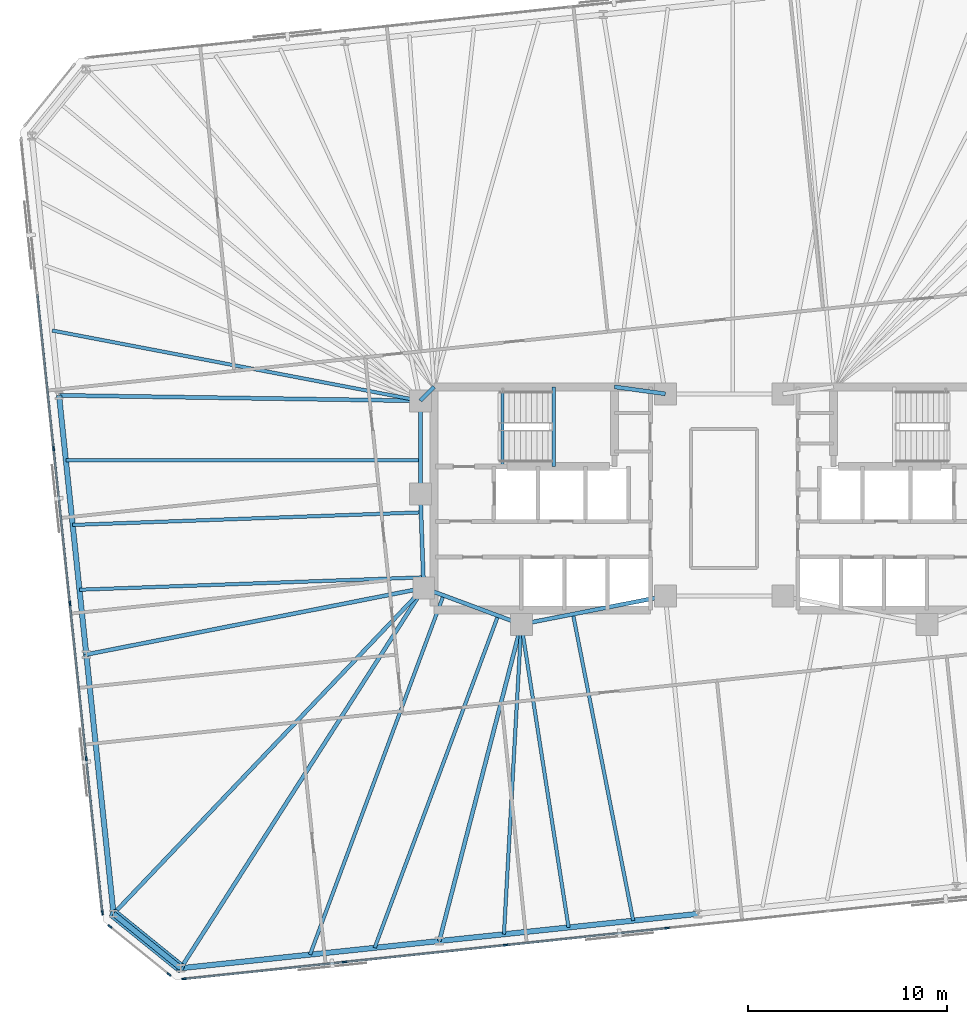
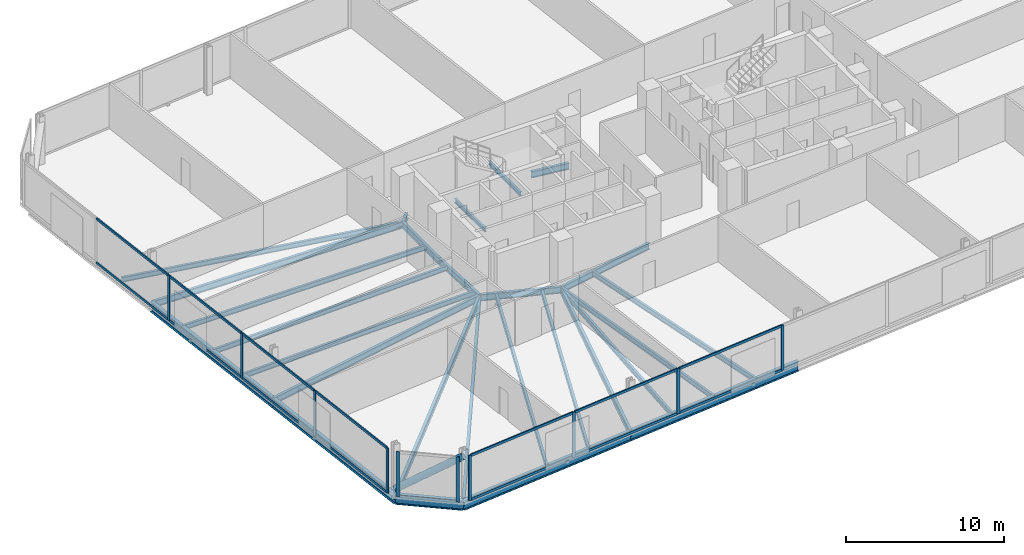
# One storey, part 6 of 18: 27 beams, 25 members, 3 elements without a shape of their own.
"""IFC4 building model written with IfcOpenShell, lengths in metres."""

from ifc_helpers import new_model, si_unit, direction, frame, origin, origin_2d, place, context, subcontext, project, spatial, rectangle, hollow_circle, i_section, extrude, material, material_profile, profile_set, type_object, element, aggregate, save


model = new_model("IFC4")

# Units and contexts
model_context = context("Model", 3, precision=1e-05, world=origin(), true_north=direction((0.0, 1.0)))
body_context = subcontext(model_context, "Body", "Model", "MODEL_VIEW")
ifc_project = project(units=[si_unit("LENGTHUNIT", "METRE"), si_unit("AREAUNIT", "SQUARE_METRE"), si_unit("VOLUMEUNIT", "CUBIC_METRE"), si_unit("PLANEANGLEUNIT", "RADIAN"), si_unit("MASSUNIT", "GRAM", prefix="KILO")], contexts=[model_context])

# Site, building, storey
site_placement = place(None, origin())
site = spatial("IfcSite", under=ifc_project, at=site_placement, CompositionType="ELEMENT")
building_placement = place(site_placement, origin())
building = spatial("IfcBuilding", under=site, at=building_placement, Name="Menara Jurai Vektor", CompositionType="ELEMENT")
storey_placement = place(building_placement, frame((0.0, 0.0, 98.5)))
storey = spatial("IfcBuildingStorey", under=building, at=storey_placement, Name="L24", CompositionType="ELEMENT", Elevation=98.5)

# Curtain wall, members
ifc_material_1 = material(Name="Anodised Pale Aluminium & Low-E Double Glazing", Category="aluminium")
curtain_wall_type = type_object("IfcCurtainWallType", Name="CW-BLK2", PredefinedType="NOTDEFINED", material=ifc_material_1)
curtain_wall_1_placement = place(storey_placement, origin())
curtain_wall_1 = element("IfcCurtainWall", 1, at=curtain_wall_1_placement, inside=storey, type_object=curtain_wall_type, Name="Unitised Curtain Wall L24 F01", PredefinedType="NOTDEFINED")
ifc_material_2 = material(Name="Anodised Pale Aluminium Mullion", Category="aluminium")
ifc_material_profile_1 = material_profile(ifc_material_2, rectangle(XDim=0.090087890625, YDim=0.219970703125, at=origin_2d()), Name="ALU MUL 90x220")
ifc_profile_set_1 = profile_set([ifc_material_profile_1], Name="Anodised Pale Aluminium Mullion")
member_type_1 = type_object("IfcMemberType", Name="CW-BLK2-MUL", PredefinedType="MULLION", material=ifc_profile_set_1)
member_1_placement = place(storey_placement, frame((-27.116455078125, -24.122314453125, 0.0), z_axis=(0.0, 0.0, 1.0), x_axis=(-0.104528634935, 0.994521877325, 0.0)))
member_1 = element("IfcMember", 2, at=member_1_placement, type_object=member_type_1, Name="CW-02 mullion 1", PredefinedType="MULLION", context=body_context, shape_type="SweptSolid", body=[
    extrude(rectangle(XDim=0.090087890625, YDim=0.219970703125, at=origin_2d()), origin(), (0.0, 0.0, 1.0), 3.47509765625),
])
member_2_placement = place(storey_placement, frame((-19.0634765625, -23.27587890625, 0.0), z_axis=(0.0, 0.0, 1.0), x_axis=(-0.104528634935, 0.994521877325, 0.0)))
member_2 = element("IfcMember", 3, at=member_2_placement, type_object=member_type_1, Name="CW-02 mullion 2", PredefinedType="MULLION", context=body_context, shape_type="SweptSolid", body=[
    extrude(rectangle(XDim=0.090087890625, YDim=0.219970703125, at=origin_2d()), origin(), (0.0, 0.0, 1.0), 3.47509765625),
])
member_3_placement = place(storey_placement, frame((-10.965576171875, -22.4248046875, 0.0), z_axis=(0.0, 0.0, 1.0), x_axis=(-0.104528634935, 0.994521877325, 0.0)))
member_3 = element("IfcMember", 4, at=member_3_placement, type_object=member_type_1, Name="CW-02 mullion 3", PredefinedType="MULLION", context=body_context, shape_type="SweptSolid", body=[
    extrude(rectangle(XDim=0.090087890625, YDim=0.219970703125, at=origin_2d()), origin(), (0.0, 0.0, 1.0), 3.47509765625),
])
member_4_placement = place(storey_placement, frame((-2.86767578125, -21.57373046875, 0.0), z_axis=(0.0, 0.0, 1.0), x_axis=(-0.104528634935, 0.994521877325, 0.0)))
member_4 = element("IfcMember", 5, at=member_4_placement, type_object=member_type_1, Name="CW-02 mullion 4", PredefinedType="MULLION", context=body_context, shape_type="SweptSolid", body=[
    extrude(rectangle(XDim=0.090087890625, YDim=0.219970703125, at=origin_2d()), origin(), (0.0, 0.0, 1.0), 3.47509765625),
])

curtain_wall_2_placement = place(storey_placement, origin())
curtain_wall_2 = element("IfcCurtainWall", 6, at=curtain_wall_2_placement, inside=storey, type_object=curtain_wall_type, Name="Unitised Curtain Wall L24 F07", PredefinedType="NOTDEFINED")
member_5_placement = place(storey_placement, frame((-33.66064453125, 2.50341796875, 0.0), z_axis=(0.0, 0.0, 1.0), x_axis=(0.99452177832, 0.104529576902, 0.0)))
member_5 = element("IfcMember", 7, at=member_5_placement, type_object=member_type_1, Name="CW-02 mullion 3", PredefinedType="MULLION", context=body_context, shape_type="SweptSolid", body=[
    extrude(rectangle(XDim=0.090087890625, YDim=0.219970703125, at=origin_2d()), origin(), (0.0, 0.0, 1.0), 3.47509765625),
])
member_6_placement = place(storey_placement, frame((-32.84228515625, -5.28173828125, 0.0), z_axis=(0.0, 0.0, 1.0), x_axis=(0.99452177832, 0.104529576902, 0.0)))
member_6 = element("IfcMember", 8, at=member_6_placement, type_object=member_type_1, Name="CW-02 mullion 4", PredefinedType="MULLION", context=body_context, shape_type="SweptSolid", body=[
    extrude(rectangle(XDim=0.090087890625, YDim=0.219970703125, at=origin_2d()), origin(), (0.0, 0.0, 1.0), 3.47509765625),
])
member_7_placement = place(storey_placement, frame((-32.024169921875, -13.06689453125, 0.0), z_axis=(0.0, 0.0, 1.0), x_axis=(0.99452177832, 0.104529576902, 0.0)))
member_7 = element("IfcMember", 9, at=member_7_placement, type_object=member_type_1, Name="CW-02 mullion 5", PredefinedType="MULLION", context=body_context, shape_type="SweptSolid", body=[
    extrude(rectangle(XDim=0.090087890625, YDim=0.219970703125, at=origin_2d()), origin(), (0.0, 0.0, 1.0), 3.47509765625),
])
member_8_placement = place(storey_placement, frame((-31.21044921875, -20.80712890625, 0.0), z_axis=(0.0, 0.0, 1.0), x_axis=(0.99452177832, 0.104529576902, 0.0)))
member_8 = element("IfcMember", 10, at=member_8_placement, type_object=member_type_1, Name="CW-02 mullion 6", PredefinedType="MULLION", context=body_context, shape_type="SweptSolid", body=[
    extrude(rectangle(XDim=0.090087890625, YDim=0.219970703125, at=origin_2d()), origin(), (0.0, 0.0, 1.0), 3.47509765625),
])

curtain_wall_3_placement = place(storey_placement, origin())
curtain_wall_3 = element("IfcCurtainWall", 11, at=curtain_wall_3_placement, inside=storey, type_object=curtain_wall_type, Name="Unitised Curtain Wall L24 F08", PredefinedType="NOTDEFINED")
member_9_placement = place(storey_placement, frame((-30.8359375, -21.497314453125, 0.0), z_axis=(0.0, 0.0, 1.0), x_axis=(0.629313085353, 0.777151877437, 0.0)))
member_9 = element("IfcMember", 12, at=member_9_placement, type_object=member_type_1, Name="CW-02 mullion 1", PredefinedType="MULLION", context=body_context, shape_type="SweptSolid", body=[
    extrude(rectangle(XDim=0.090087890625, YDim=0.219970703125, at=origin_2d()), origin(), (0.0, 0.0, 1.0), 3.47509765625),
])
member_10_placement = place(storey_placement, frame((-27.869384765625, -23.8994140625, 0.0), z_axis=(0.0, 0.0, 1.0), x_axis=(0.629313085353, 0.777151877437, 0.0)))
member_10 = element("IfcMember", 13, at=member_10_placement, type_object=member_type_1, Name="CW-02 mullion 2", PredefinedType="MULLION", context=body_context, shape_type="SweptSolid", body=[
    extrude(rectangle(XDim=0.090087890625, YDim=0.219970703125, at=origin_2d()), origin(), (0.0, 0.0, 1.0), 3.47509765625),
])
aggregate(curtain_wall_3, [member_9, member_10])

# Member
ifc_material_3 = material(Name="Anodised Pale Aluminium Transom", Category="aluminium")
ifc_material_profile_2 = material_profile(ifc_material_3, rectangle(XDim=0.090087890625, YDim=0.18505859375, at=origin_2d()), Name="ALU TRN 90x185")
ifc_profile_set_2 = profile_set([ifc_material_profile_2], Name="Anodised Pale Aluminium Transom")
member_type_2 = type_object("IfcMemberType", Name="CW-BLK2-TRN", PredefinedType="USERDEFINED", material=ifc_profile_set_2)
member_11_placement = place(storey_placement, frame((-27.07177734375, -24.11767578125, 0.044921875), z_axis=(0.994523147415, 0.10451655015, 0.0), x_axis=(-0.10451655015, 0.994523147415, 0.0)))
member_11 = element("IfcMember", 14, at=member_11_placement, type_object=member_type_2, Name="CW-02 transom 1.1", ObjectType="TRANSOM", PredefinedType="USERDEFINED", context=body_context, shape_type="SweptSolid", body=[
    extrude(rectangle(XDim=0.090087890625, YDim=0.18505859375, at=origin_2d()), origin(), (0.0, 0.0, 1.0), 8.007568359375),
])

member_12_placement = place(storey_placement, frame((-27.07177734375, -24.11767578125, 3.429931640625), z_axis=(0.994523147415, 0.10451655015, 0.0), x_axis=(-0.10451655015, 0.994523147415, 0.0)))
member_12 = element("IfcMember", 15, at=member_12_placement, type_object=member_type_2, Name="CW-02 transom 1.2", ObjectType="TRANSOM", PredefinedType="USERDEFINED", context=body_context, shape_type="SweptSolid", body=[
    extrude(rectangle(XDim=0.090087890625, YDim=0.18505859375, at=origin_2d()), origin(), (0.0, 0.0, 1.0), 8.007568359375),
])

member_13_placement = place(storey_placement, frame((-19.0185546875, -23.271240234375, 0.044921875), z_axis=(0.994520726373, 0.10453958492, 0.0), x_axis=(-0.10453958492, 0.994520726373, 0.0)))
member_13 = element("IfcMember", 16, at=member_13_placement, type_object=member_type_2, Name="CW-02 transom 2.1", ObjectType="TRANSOM", PredefinedType="USERDEFINED", context=body_context, shape_type="SweptSolid", body=[
    extrude(rectangle(XDim=0.090087890625, YDim=0.18505859375, at=origin_2d()), origin(), (0.0, 0.0, 1.0), 8.052490234375),
])

member_14_placement = place(storey_placement, frame((-19.0185546875, -23.271240234375, 3.429931640625), z_axis=(0.994520726373, 0.10453958492, 0.0), x_axis=(-0.10453958492, 0.994520726373, 0.0)))
member_14 = element("IfcMember", 17, at=member_14_placement, type_object=member_type_2, Name="CW-02 transom 2.2", ObjectType="TRANSOM", PredefinedType="USERDEFINED", context=body_context, shape_type="SweptSolid", body=[
    extrude(rectangle(XDim=0.090087890625, YDim=0.18505859375, at=origin_2d()), origin(), (0.0, 0.0, 1.0), 8.052490234375),
])

member_15_placement = place(storey_placement, frame((-10.920654296875, -22.420166015625, 0.044921875), z_axis=(0.994520726373, 0.10453958492, 0.0), x_axis=(-0.10453958492, 0.994520726373, 0.0)))
member_15 = element("IfcMember", 18, at=member_15_placement, type_object=member_type_2, Name="CW-02 transom 3.1", ObjectType="TRANSOM", PredefinedType="USERDEFINED", context=body_context, shape_type="SweptSolid", body=[
    extrude(rectangle(XDim=0.090087890625, YDim=0.18505859375, at=origin_2d()), origin(), (0.0, 0.0, 1.0), 8.052490234375),
])

member_16_placement = place(storey_placement, frame((-10.920654296875, -22.420166015625, 3.429931640625), z_axis=(0.994520726373, 0.10453958492, 0.0), x_axis=(-0.10453958492, 0.994520726373, 0.0)))
member_16 = element("IfcMember", 19, at=member_16_placement, type_object=member_type_2, Name="CW-02 transom 3.2", ObjectType="TRANSOM", PredefinedType="USERDEFINED", context=body_context, shape_type="SweptSolid", body=[
    extrude(rectangle(XDim=0.090087890625, YDim=0.18505859375, at=origin_2d()), origin(), (0.0, 0.0, 1.0), 8.052490234375),
])

aggregate(curtain_wall_1, [member_1, member_2, member_3, member_4, member_11, member_12, member_13, member_14, member_15, member_16])

member_17_placement = place(storey_placement, frame((-34.47412109375, 10.243896484375, 0.044921875), z_axis=(0.104525476786, -0.994522209256, 0.0), x_axis=(0.994522209256, 0.104525476786, 0.0)))
member_17 = element("IfcMember", 20, at=member_17_placement, type_object=member_type_2, Name="CW-02 transom 2.1", ObjectType="TRANSOM", PredefinedType="USERDEFINED", context=body_context, shape_type="SweptSolid", body=[
    extrude(rectangle(XDim=0.090087890625, YDim=0.18505859375, at=origin_2d()), origin(), (0.0, 0.0, 1.0), 7.73828125),
])

member_18_placement = place(storey_placement, frame((-34.47412109375, 10.243896484375, 3.429931640625), z_axis=(0.104525476786, -0.994522209256, 0.0), x_axis=(0.994522209256, 0.104525476786, 0.0)))
member_18 = element("IfcMember", 21, at=member_18_placement, type_object=member_type_2, Name="CW-02 transom 2.2", ObjectType="TRANSOM", PredefinedType="USERDEFINED", context=body_context, shape_type="SweptSolid", body=[
    extrude(rectangle(XDim=0.090087890625, YDim=0.18505859375, at=origin_2d()), origin(), (0.0, 0.0, 1.0), 7.73828125),
])

member_19_placement = place(storey_placement, frame((-33.65576171875, 2.458740234375, 0.044921875), z_axis=(0.104525476786, -0.994522209256, 0.0), x_axis=(0.994522209256, 0.104525476786, 0.0)))
member_19 = element("IfcMember", 22, at=member_19_placement, type_object=member_type_2, Name="CW-02 transom 3.1", ObjectType="TRANSOM", PredefinedType="USERDEFINED", context=body_context, shape_type="SweptSolid", body=[
    extrude(rectangle(XDim=0.090087890625, YDim=0.18505859375, at=origin_2d()), origin(), (0.0, 0.0, 1.0), 7.73828125),
])

member_20_placement = place(storey_placement, frame((-33.65576171875, 2.458740234375, 3.429931640625), z_axis=(0.104525476786, -0.994522209256, 0.0), x_axis=(0.994522209256, 0.104525476786, 0.0)))
member_20 = element("IfcMember", 23, at=member_20_placement, type_object=member_type_2, Name="CW-02 transom 3.2", ObjectType="TRANSOM", PredefinedType="USERDEFINED", context=body_context, shape_type="SweptSolid", body=[
    extrude(rectangle(XDim=0.090087890625, YDim=0.18505859375, at=origin_2d()), origin(), (0.0, 0.0, 1.0), 7.73828125),
])

member_21_placement = place(storey_placement, frame((-32.837646484375, -5.326416015625, 0.044921875), z_axis=(0.104525476786, -0.994522209256, 0.0), x_axis=(0.994522209256, 0.104525476786, 0.0)))
member_21 = element("IfcMember", 24, at=member_21_placement, type_object=member_type_2, Name="CW-02 transom 4.1", ObjectType="TRANSOM", PredefinedType="USERDEFINED", context=body_context, shape_type="SweptSolid", body=[
    extrude(rectangle(XDim=0.090087890625, YDim=0.18505859375, at=origin_2d()), origin(), (0.0, 0.0, 1.0), 7.73828125),
])

member_22_placement = place(storey_placement, frame((-32.837646484375, -5.326416015625, 3.429931640625), z_axis=(0.104525476786, -0.994522209256, 0.0), x_axis=(0.994522209256, 0.104525476786, 0.0)))
member_22 = element("IfcMember", 25, at=member_22_placement, type_object=member_type_2, Name="CW-02 transom 4.2", ObjectType="TRANSOM", PredefinedType="USERDEFINED", context=body_context, shape_type="SweptSolid", body=[
    extrude(rectangle(XDim=0.090087890625, YDim=0.18505859375, at=origin_2d()), origin(), (0.0, 0.0, 1.0), 7.73828125),
])

member_23_placement = place(storey_placement, frame((-32.019287109375, -13.111572265625, 0.044921875), z_axis=(0.104536105602, -0.994521092097, 0.0), x_axis=(0.994521092097, 0.104536105602, 0.0)))
member_23 = element("IfcMember", 26, at=member_23_placement, type_object=member_type_2, Name="CW-02 transom 5.1", ObjectType="TRANSOM", PredefinedType="USERDEFINED", context=body_context, shape_type="SweptSolid", body=[
    extrude(rectangle(XDim=0.090087890625, YDim=0.18505859375, at=origin_2d()), origin(), (0.0, 0.0, 1.0), 7.693115234375),
])

member_24_placement = place(storey_placement, frame((-32.019287109375, -13.111572265625, 3.429931640625), z_axis=(0.104536105602, -0.994521092097, 0.0), x_axis=(0.994521092097, 0.104536105602, 0.0)))
member_24 = element("IfcMember", 27, at=member_24_placement, type_object=member_type_2, Name="CW-02 transom 5.2", ObjectType="TRANSOM", PredefinedType="USERDEFINED", context=body_context, shape_type="SweptSolid", body=[
    extrude(rectangle(XDim=0.090087890625, YDim=0.18505859375, at=origin_2d()), origin(), (0.0, 0.0, 1.0), 7.693115234375),
])

aggregate(curtain_wall_2, [member_5, member_6, member_7, member_8, member_17, member_18, member_19, member_20, member_21, member_22, member_23, member_24])

# Beams
ifc_material_4 = material(Name="Steel S355", Category="steel")
ifc_material_profile_3 = material_profile(ifc_material_4, i_section(OverallWidth=0.199951171875, OverallDepth=0.5, WebThickness=0.011962890625, FlangeThickness=0.02001953125, at=origin_2d()), Name="PG 500x200x96")
ifc_profile_set_3 = profile_set([ifc_material_profile_3], Name="Steel S355")
beam_type_1 = type_object("IfcBeamType", Name="STR-BM-500", PredefinedType="BEAM", material=ifc_profile_set_3)
beam_1_placement = place(storey_placement, frame((-15.25, 4.89990234375, -0.47509765625), z_axis=(0.701871936926, 0.712303154672, 0.0), x_axis=(-0.712303154672, 0.701871936926, 0.0)))
element("IfcBeam", 28, at=beam_1_placement, inside=storey, type_object=beam_type_1, Name="Core Ring Header Girder L24-CHW-N1", PredefinedType="BEAM", context=body_context, shape_type="SweptSolid", body=[
    extrude(i_section(OverallWidth=0.199951171875, OverallDepth=0.5, WebThickness=0.011962890625, FlangeThickness=0.02001953125, at=origin_2d()), origin(), (0.0, 0.0, 1.0), 0.98291015625),
])
beam_2_placement = place(storey_placement, frame((-5.5, 5.60009765625, -0.47509765625), z_axis=(0.990706818608, -0.136014703483, 0.0), x_axis=(0.136014703483, 0.990706818608, 0.0)))
element("IfcBeam", 29, at=beam_2_placement, inside=storey, type_object=beam_type_1, Name="Core Ring Header Girder L24-CHW-N2", PredefinedType="BEAM", context=body_context, shape_type="SweptSolid", body=[
    extrude(i_section(OverallWidth=0.199951171875, OverallDepth=0.5, WebThickness=0.011962890625, FlangeThickness=0.02001953125, at=origin_2d()), origin(), (0.0, 0.0, 1.0), 2.573974609375),
])
beam_3_placement = place(storey_placement, frame((-15.25, 0.219970703125, -0.47509765625), z_axis=(0.0, 1.0, 0.0), x_axis=(-1.0, 0.0, 0.0)))
element("IfcBeam", 30, at=beam_3_placement, inside=storey, type_object=beam_type_1, Name="Core Ring Header Girder L24-CHW-W1", PredefinedType="BEAM", context=body_context, shape_type="SweptSolid", body=[
    extrude(i_section(OverallWidth=0.199951171875, OverallDepth=0.5, WebThickness=0.011962890625, FlangeThickness=0.02001953125, at=origin_2d()), origin(), (0.0, 0.0, 1.0), 4.679931640625),
])
beam_4_placement = place(storey_placement, frame((-15.080078125, -4.5, -0.47509765625), z_axis=(-0.035977314146, 0.999352606874, 0.0), x_axis=(-0.999352606874, -0.035977314146, 0.0)))
element("IfcBeam", 31, at=beam_4_placement, inside=storey, type_object=beam_type_1, Name="Core Ring Header Girder L24-CHW-W2", PredefinedType="BEAM", context=body_context, shape_type="SweptSolid", body=[
    extrude(i_section(OverallWidth=0.199951171875, OverallDepth=0.5, WebThickness=0.011962890625, FlangeThickness=0.02001953125, at=origin_2d()), origin(), (0.0, 0.0, 1.0), 4.72314453125),
])
beam_5_placement = place(storey_placement, frame((-15.080078125, -4.5, -0.47509765625), z_axis=(0.937424400887, -0.348188874925, 0.0), x_axis=(0.348188874925, 0.937424400887, 0.0)))
element("IfcBeam", 32, at=beam_5_placement, inside=storey, type_object=beam_type_1, Name="Core Ring Header Girder L24-CHW-S1", PredefinedType="BEAM", context=body_context, shape_type="SweptSolid", body=[
    extrude(i_section(OverallWidth=0.199951171875, OverallDepth=0.5, WebThickness=0.011962890625, FlangeThickness=0.02001953125, at=origin_2d()), origin(), (0.0, 0.0, 1.0), 5.227294921875),
])
beam_6_placement = place(storey_placement, frame((-10.179931640625, -6.320068359375, -0.47509765625), z_axis=(0.981249044334, 0.192744164614, 0.0), x_axis=(-0.192744164614, 0.981249044334, 0.0)))
element("IfcBeam", 33, at=beam_6_placement, inside=storey, type_object=beam_type_1, Name="Core Ring Header Girder L24-CHW-S2", PredefinedType="BEAM", context=body_context, shape_type="SweptSolid", body=[
    extrude(i_section(OverallWidth=0.199951171875, OverallDepth=0.5, WebThickness=0.011962890625, FlangeThickness=0.02001953125, at=origin_2d()), origin(), (0.0, 0.0, 1.0), 7.3681640625),
])
beam_7_placement = place(storey_placement, frame((-27.2763671875, -23.586181640625, -0.47509765625), z_axis=(0.538462629542, 0.842649391258, 0.0), x_axis=(-0.842649391258, 0.538462629542, 0.0)))
element("IfcBeam", 34, at=beam_7_placement, inside=storey, type_object=beam_type_1, Name="Radial Floor Girder L24-S1", PredefinedType="BEAM", context=body_context, shape_type="SweptSolid", body=[
    extrude(i_section(OverallWidth=0.199951171875, OverallDepth=0.5, WebThickness=0.011962890625, FlangeThickness=0.02001953125, at=origin_2d()), origin(), (0.0, 0.0, 1.0), 22.650146484375),
])
beam_8_placement = place(storey_placement, frame((-14.296630859375, -22.221923828125, -0.47509765625), z_axis=(0.250619644892, 0.968085633399, 0.0), x_axis=(-0.968085633399, 0.250619644892, 0.0)))
element("IfcBeam", 35, at=beam_8_placement, inside=storey, type_object=beam_type_1, Name="Radial Floor Girder L24-S2", PredefinedType="BEAM", context=body_context, shape_type="SweptSolid", body=[
    extrude(i_section(OverallWidth=0.199951171875, OverallDepth=0.5, WebThickness=0.011962890625, FlangeThickness=0.02001953125, at=origin_2d()), origin(), (0.0, 0.0, 1.0), 16.426025390625),
])
beam_9_placement = place(storey_placement, frame((-33.38818359375, 5.175048828125, -0.47509765625), z_axis=(0.999884963566, -0.015167716827, 0.0), x_axis=(0.015167716827, 0.999884963566, 0.0)))
element("IfcBeam", 36, at=beam_9_placement, inside=storey, type_object=beam_type_1, Name="Radial Floor Girder L24-W2", PredefinedType="BEAM", context=body_context, shape_type="SweptSolid", body=[
    extrude(i_section(OverallWidth=0.199951171875, OverallDepth=0.5, WebThickness=0.011962890625, FlangeThickness=0.02001953125, at=origin_2d()), origin(), (0.0, 0.0, 1.0), 18.140380859375),
])
beam_10_placement = place(storey_placement, frame((-32.0205078125, -7.83837890625, -0.47509765625), z_axis=(0.98113039493, 0.193347221714, 0.0), x_axis=(-0.193347221714, 0.98113039493, 0.0)))
element("IfcBeam", 37, at=beam_10_placement, inside=storey, type_object=beam_type_1, Name="Radial Floor Girder L24-W3", PredefinedType="BEAM", context=body_context, shape_type="SweptSolid", body=[
    extrude(i_section(OverallWidth=0.199951171875, OverallDepth=0.5, WebThickness=0.011962890625, FlangeThickness=0.02001953125, at=origin_2d()), origin(), (0.0, 0.0, 1.0), 17.266357421875),
])
beam_11_placement = place(storey_placement, frame((-30.65283203125, -20.85205078125, -0.47509765625), z_axis=(0.689640593718, 0.724151815227, 0.0), x_axis=(-0.724151815227, 0.689640593718, 0.0)))
element("IfcBeam", 38, at=beam_11_placement, inside=storey, type_object=beam_type_1, Name="Radial Floor Girder L24-W4", PredefinedType="BEAM", context=body_context, shape_type="SweptSolid", body=[
    extrude(i_section(OverallWidth=0.199951171875, OverallDepth=0.5, WebThickness=0.011962890625, FlangeThickness=0.02001953125, at=origin_2d()), origin(), (0.0, 0.0, 1.0), 22.5810546875),
])

# Member
ifc_material_5 = material(Name="Steel S460", Category="steel")
ifc_material_profile_4 = material_profile(ifc_material_5, hollow_circle(Radius=0.25390625, WallThickness=0.02001953125, at=origin_2d()), Name="CHS 508x20")
ifc_profile_set_4 = profile_set([ifc_material_profile_4], Name="Steel S460")
member_type_3 = type_object("IfcMemberType", Name="STR-BR-508", PredefinedType="BRACE", material=ifc_profile_set_4)
member_25_placement = place(storey_placement, frame((-30.65283203125, -20.85205078125, 0.14990234375), z_axis=(0.641223283484, -0.519237856236, 0.564999778203), x_axis=(0.629309762217, 0.777154568396, 0.0)))
element("IfcMember", 39, at=member_25_placement, inside=storey, type_object=member_type_3, Name="Exoskeleton Corner Brace L24-4", PredefinedType="BRACE", context=body_context, shape_type="SweptSolid", body=[
    extrude(hollow_circle(Radius=0.25390625, WallThickness=0.02001953125, at=origin_2d()), origin(), (0.0, 0.0, 1.0), 5.265625),
])

# Beams
ifc_material_profile_5 = material_profile(ifc_material_4, i_section(OverallWidth=0.175048828125, OverallDepth=0.3798828125, WebThickness=0.010009765625, FlangeThickness=0.014892578125, at=origin_2d()), Name="PG 380x175x58")
ifc_profile_set_5 = profile_set([ifc_material_profile_5], Name="Steel S355")
beam_type_2 = type_object("IfcBeamType", Name="STR-JS-380", PredefinedType="JOIST", material=ifc_profile_set_5)
beam_12_placement = place(storey_placement, frame((-20.78662109375, -22.904052734375, -0.4150390625), z_axis=(0.34819162731, 0.93742337856, 0.0), x_axis=(-0.93742337856, 0.34819162731, 0.0)))
element("IfcBeam", 40, at=beam_12_placement, inside=storey, type_object=beam_type_2, Name="Radial Secondary Floor Joist L24-JS01", PredefinedType="JOIST", context=body_context, shape_type="SweptSolid", body=[
    extrude(i_section(OverallWidth=0.175048828125, OverallDepth=0.3798828125, WebThickness=0.010009765625, FlangeThickness=0.014892578125, at=origin_2d()), origin(), (0.0, 0.0, 1.0), 19.2392578125),
])
beam_13_placement = place(storey_placement, frame((-17.54150390625, -22.56298828125, -0.4150390625), z_axis=(0.348184462185, 0.937426039906, 0.0), x_axis=(-0.937426039906, 0.348184462185, 0.0)))
element("IfcBeam", 41, at=beam_13_placement, inside=storey, type_object=beam_type_2, Name="Radial Secondary Floor Joist L24-JS02", PredefinedType="JOIST", context=body_context, shape_type="SweptSolid", body=[
    extrude(i_section(OverallWidth=0.175048828125, OverallDepth=0.3798828125, WebThickness=0.010009765625, FlangeThickness=0.014892578125, at=origin_2d()), origin(), (0.0, 0.0, 1.0), 17.789794921875),
])
beam_14_placement = place(storey_placement, frame((-11.0517578125, -21.880859375, -0.4150390625), z_axis=(0.055939382302, 0.998434166837, 0.0), x_axis=(-0.998434166837, 0.055939382302, 0.0)))
element("IfcBeam", 42, at=beam_14_placement, inside=storey, type_object=beam_type_2, Name="Radial Secondary Floor Joist L24-JS03", PredefinedType="JOIST", context=body_context, shape_type="SweptSolid", body=[
    extrude(i_section(OverallWidth=0.175048828125, OverallDepth=0.3798828125, WebThickness=0.010009765625, FlangeThickness=0.014892578125, at=origin_2d()), origin(), (0.0, 0.0, 1.0), 15.585205078125),
])
beam_15_placement = place(storey_placement, frame((-7.806884765625, -21.539794921875, -0.4150390625), z_axis=(-0.154057765645, 0.988061842622, 0.0), x_axis=(-0.988061842622, -0.154057765645, 0.0)))
element("IfcBeam", 43, at=beam_15_placement, inside=storey, type_object=beam_type_2, Name="Radial Secondary Floor Joist L24-JS04", PredefinedType="JOIST", context=body_context, shape_type="SweptSolid", body=[
    extrude(i_section(OverallWidth=0.175048828125, OverallDepth=0.3798828125, WebThickness=0.010009765625, FlangeThickness=0.014892578125, at=origin_2d()), origin(), (0.0, 0.0, 1.0), 15.403564453125),
])
beam_16_placement = place(storey_placement, frame((-4.56201171875, -21.19873046875, -0.4150390625), z_axis=(-0.19271398667, 0.981254971627, 0.0), x_axis=(-0.981254971627, -0.19271398667, 0.0)))
element("IfcBeam", 44, at=beam_16_placement, inside=storey, type_object=beam_type_2, Name="Radial Secondary Floor Joist L24-JS05", PredefinedType="JOIST", context=body_context, shape_type="SweptSolid", body=[
    extrude(i_section(OverallWidth=0.175048828125, OverallDepth=0.3798828125, WebThickness=0.010009765625, FlangeThickness=0.014892578125, at=origin_2d()), origin(), (0.0, 0.0, 1.0), 15.682373046875),
])
beam_17_placement = place(storey_placement, frame((-33.730224609375, 8.428466796875, -0.4150390625), z_axis=(0.982255215221, -0.187549172674, 0.0), x_axis=(0.187549172674, 0.982255215221, 0.0)))
element("IfcBeam", 45, at=beam_17_placement, inside=storey, type_object=beam_type_2, Name="Radial Secondary Floor Joist L24-JS38", PredefinedType="JOIST", context=body_context, shape_type="SweptSolid", body=[
    extrude(i_section(OverallWidth=0.175048828125, OverallDepth=0.3798828125, WebThickness=0.010009765625, FlangeThickness=0.014892578125, at=origin_2d()), origin(), (0.0, 0.0, 1.0), 18.81396484375),
])
beam_18_placement = place(storey_placement, frame((-33.04638671875, 1.921630859375, -0.4150390625), z_axis=(1.0, 0.0, 0.0), x_axis=(0.0, 1.0, 0.0)))
element("IfcBeam", 46, at=beam_18_placement, inside=storey, type_object=beam_type_2, Name="Radial Secondary Floor Joist L24-JS39", PredefinedType="JOIST", context=body_context, shape_type="SweptSolid", body=[
    extrude(i_section(OverallWidth=0.175048828125, OverallDepth=0.3798828125, WebThickness=0.010009765625, FlangeThickness=0.014892578125, at=origin_2d()), origin(), (0.0, 0.0, 1.0), 17.79638671875),
])
beam_19_placement = place(storey_placement, frame((-32.704345703125, -1.331787109375, -0.4150390625), z_axis=(0.999351948809, 0.035995588769, 0.0), x_axis=(-0.035995588769, 0.999351948809, 0.0)))
element("IfcBeam", 47, at=beam_19_placement, inside=storey, type_object=beam_type_2, Name="Radial Secondary Floor Joist L24-JS40", PredefinedType="JOIST", context=body_context, shape_type="SweptSolid", body=[
    extrude(i_section(OverallWidth=0.175048828125, OverallDepth=0.3798828125, WebThickness=0.010009765625, FlangeThickness=0.014892578125, at=origin_2d()), origin(), (0.0, 0.0, 1.0), 17.498779296875),
])
beam_20_placement = place(storey_placement, frame((-32.362548828125, -4.5849609375, -0.4150390625), z_axis=(0.999352405578, 0.03598290517, 0.0), x_axis=(-0.03598290517, 0.999352405578, 0.0)))
element("IfcBeam", 48, at=beam_20_placement, inside=storey, type_object=beam_type_2, Name="Radial Secondary Floor Joist L24-JS41", PredefinedType="JOIST", context=body_context, shape_type="SweptSolid", body=[
    extrude(i_section(OverallWidth=0.175048828125, OverallDepth=0.3798828125, WebThickness=0.010009765625, FlangeThickness=0.014892578125, at=origin_2d()), origin(), (0.0, 0.0, 1.0), 17.2744140625),
])
ifc_material_profile_6 = material_profile(ifc_material_4, i_section(OverallWidth=0.1650390625, OverallDepth=0.302978515625, WebThickness=0.006103515625, FlangeThickness=0.010009765625, FilletRadius=0.009033203125, at=origin_2d()), Name="UKB 305x165x40")
ifc_profile_set_6 = profile_set([ifc_material_profile_6], Name="Steel S355")
beam_type_3 = type_object("IfcBeamType", Name="STR-LN-305", PredefinedType="LINTEL", material=ifc_profile_set_6)
beam_21_placement = place(storey_placement, frame((-11.1201171875, 1.60009765625, -0.37646484375), z_axis=(0.0, 1.0, 0.0), x_axis=(-1.0, 0.0, 0.0)))
element("IfcBeam", 49, at=beam_21_placement, inside=storey, type_object=beam_type_3, Name="Stair Well Floor Trimmer ST1 L24", PredefinedType="LINTEL", context=body_context, shape_type="SweptSolid", body=[
    extrude(i_section(OverallWidth=0.1650390625, OverallDepth=0.302978515625, WebThickness=0.006103515625, FlangeThickness=0.010009765625, FilletRadius=0.009033203125, at=origin_2d()), origin(), (0.0, 0.0, 1.0), 3.81982421875),
])
beam_22_placement = place(storey_placement, frame((-8.550048828125, 1.60009765625, 1.49853515625), z_axis=(0.0, 1.0, 0.0), x_axis=(-1.0, 0.0, 0.0)))
element("IfcBeam", 50, at=beam_22_placement, inside=storey, type_object=beam_type_3, Name="Stair Half-Landing Nosing Trimmer ST1-1 L24", PredefinedType="LINTEL", context=body_context, shape_type="SweptSolid", body=[
    extrude(i_section(OverallWidth=0.1650390625, OverallDepth=0.302978515625, WebThickness=0.006103515625, FlangeThickness=0.010009765625, FilletRadius=0.009033203125, at=origin_2d()), origin(), (0.0, 0.0, 1.0), 4.0),
])
ifc_material_profile_7 = material_profile(ifc_material_5, i_section(OverallWidth=0.26806640625, OverallDepth=0.77001953125, WebThickness=0.01611328125, FlangeThickness=0.02490234375, FilletRadius=0.01708984375, at=origin_2d()), Name="UKB 762x267x197")
ifc_profile_set_7 = profile_set([ifc_material_profile_7], Name="Steel S460")
beam_type_4 = type_object("IfcBeamType", Name="STR-SP-762", PredefinedType="SPANDREL", material=ifc_profile_set_7)
for number, where, z_axis, x_axis, name in (
    (51, (-27.2763671875, -23.586181640625, -0.610107421875), (0.994521636083, 0.104530930169, 0.0), (-0.104530930169, 0.994521636083, 0.0), "Exoskeleton Spandrel Beam L24-01"),
    (52, (-14.296630859375, -22.221923828125, -0.610107421875), (0.994523580592, 0.104512428191, 0.0), (-0.104512428191, 0.994523580592, 0.0), "Exoskeleton Spandrel Beam L24-02"),
):
    element("IfcBeam", number, at=place(storey_placement, frame(where, z_axis=z_axis, x_axis=x_axis)), inside=storey, type_object=beam_type_4, Name=name, PredefinedType="SPANDREL", context=body_context, shape_type="SweptSolid", body=[
        extrude(i_section(OverallWidth=0.26806640625, OverallDepth=0.77001953125, WebThickness=0.01611328125, FlangeThickness=0.02490234375, FilletRadius=0.01708984375, at=origin_2d()), origin(), (0.0, 0.0, 1.0), 13.05126953125),
    ])
beam_23_placement = place(storey_placement, frame((-33.38818359375, 5.175048828125, -0.610107421875), z_axis=(0.104521615846, -0.994522615037, 0.0), x_axis=(0.994522615037, 0.104521615846, 0.0)))
element("IfcBeam", 53, at=beam_23_placement, inside=storey, type_object=beam_type_4, Name="Exoskeleton Spandrel Beam L24-18", PredefinedType="SPANDREL", context=body_context, shape_type="SweptSolid", body=[
    extrude(i_section(OverallWidth=0.26806640625, OverallDepth=0.77001953125, WebThickness=0.01611328125, FlangeThickness=0.02490234375, FilletRadius=0.01708984375, at=origin_2d()), origin(), (0.0, 0.0, 1.0), 13.085205078125),
])
beam_24_placement = place(storey_placement, frame((-32.0205078125, -7.83837890625, -0.610107421875), z_axis=(0.104519676409, -0.994522818865, 0.0), x_axis=(0.994522818865, 0.104519676409, 0.0)))
element("IfcBeam", 54, at=beam_24_placement, inside=storey, type_object=beam_type_4, Name="Exoskeleton Spandrel Beam L24-19", PredefinedType="SPANDREL", context=body_context, shape_type="SweptSolid", body=[
    extrude(i_section(OverallWidth=0.26806640625, OverallDepth=0.77001953125, WebThickness=0.01611328125, FlangeThickness=0.02490234375, FilletRadius=0.01708984375, at=origin_2d()), origin(), (0.0, 0.0, 1.0), 13.08544921875),
])
beam_25_placement = place(storey_placement, frame((-30.65283203125, -20.85205078125, -0.610107421875), z_axis=(0.777154568396, -0.629309762217, 0.0), x_axis=(0.629309762217, 0.777154568396, 0.0)))
element("IfcBeam", 55, at=beam_25_placement, inside=storey, type_object=beam_type_4, Name="Exoskeleton Spandrel Beam L24-20", PredefinedType="SPANDREL", context=body_context, shape_type="SweptSolid", body=[
    extrude(i_section(OverallWidth=0.26806640625, OverallDepth=0.77001953125, WebThickness=0.01611328125, FlangeThickness=0.02490234375, FilletRadius=0.01708984375, at=origin_2d()), origin(), (0.0, 0.0, 1.0), 4.3447265625),
])

save(model, "model.ifc")
